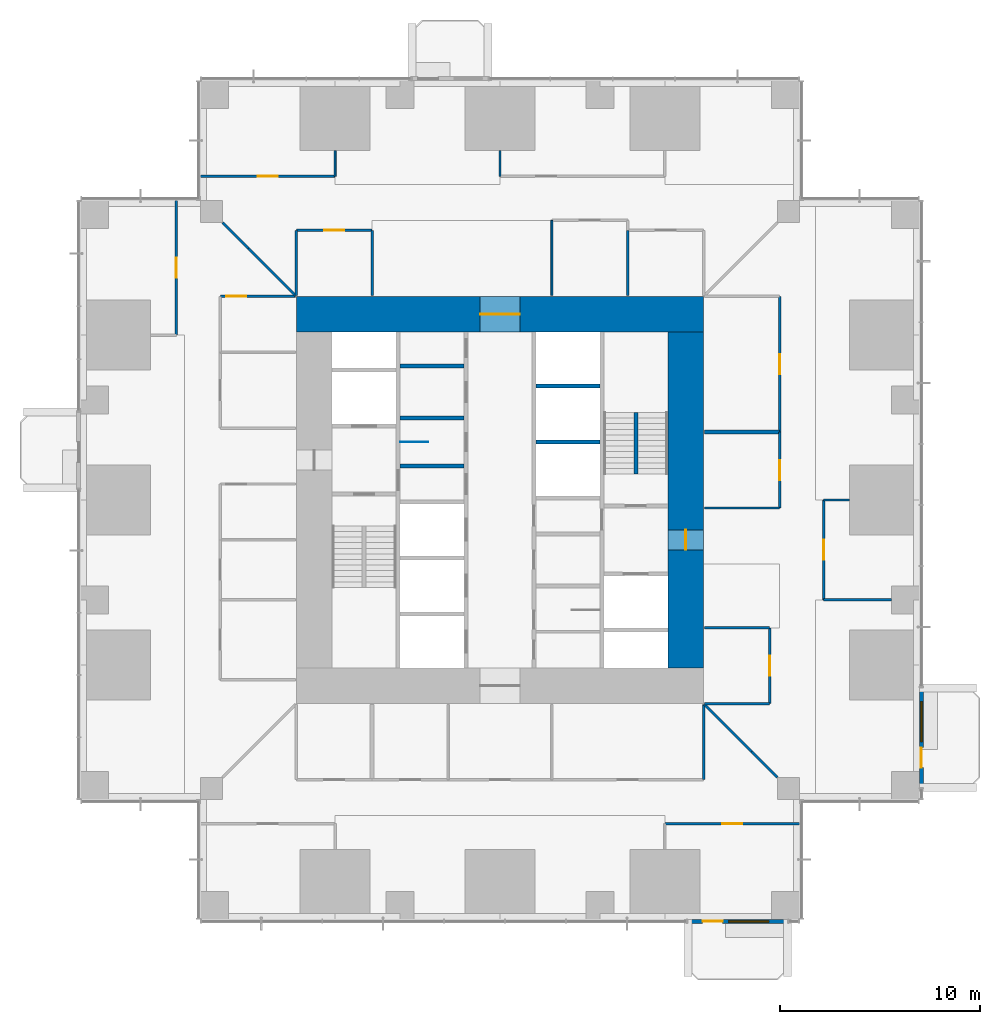
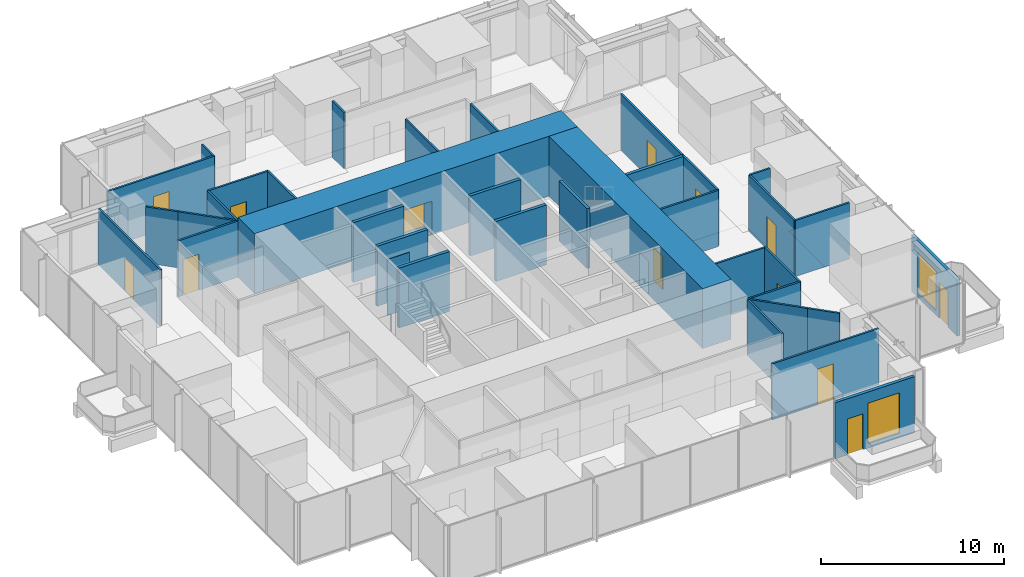
# One storey, part 11 of 15: 37 walls, 13 doors, 2 windows, 15 openings.
"""IFC4 building model written with IfcOpenShell, lengths in metres."""

from ifc_helpers import new_model, si_unit, direction, frame, frame_2d, origin, place, context, subcontext, project, spatial, rectangle, extrude, material, layer, layer_set, type_object, element, fill, save


model = new_model("IFC4")

# Units and contexts
model_context = context("Model", 3, precision=1e-05, world=origin(), true_north=direction((0.0, 1.0)))
body_context = subcontext(model_context, "Body", "Model", "MODEL_VIEW")
ifc_project = project(units=[si_unit("LENGTHUNIT", "METRE"), si_unit("AREAUNIT", "SQUARE_METRE"), si_unit("VOLUMEUNIT", "CUBIC_METRE"), si_unit("PLANEANGLEUNIT", "RADIAN"), si_unit("MASSUNIT", "GRAM", prefix="KILO")], contexts=[model_context])

# Site, building, storey
site_placement = place(None, origin())
site = spatial("IfcSite", under=ifc_project, at=site_placement, CompositionType="ELEMENT")
building_placement = place(site_placement, origin())
building = spatial("IfcBuilding", under=site, at=building_placement, Name="Svetlomir Tower", CompositionType="ELEMENT")
storey_placement = place(building_placement, frame((0.0, 0.0, 74.5)))
storey = spatial("IfcBuildingStorey", under=building, at=storey_placement, Name="L17", CompositionType="ELEMENT", Elevation=74.5)

# Wall
ifc_material_1 = material(Name="Gypsum board on twin steel studs", Category="steel")
ifc_layer_1 = layer(ifc_material_1, 0.199951171875)
ifc_layer_set_1 = layer_set([ifc_layer_1], Name="Gypsum board on twin steel studs")
wall_type_1 = type_object("IfcWallType", Name="ACOUSTIC PARTITION 200", PredefinedType="PARTITIONING", material=ifc_layer_set_1)
wall_1_placement = place(storey_placement, frame((31.25, 24.39990234375, 0.0), z_axis=(0.0, 0.0, 1.0), x_axis=(1.0, 0.0, 0.0)))
element("IfcWall", 1, at=wall_1_placement, inside=storey, type_object=wall_type_1, Name="Acoustic partition L17", PredefinedType="PARTITIONING", context=body_context, shape_type="SweptSolid", body=[
    extrude(rectangle(XDim=3.75, YDim=0.199951171875, at=frame_2d((1.875, 0.0))), origin(), (0.0, 0.0, 1.0), 3.75),
])

# Wall, openings, door, window
ifc_material_2 = material(Name="Bronze anodised aluminium glazed screen", Category="aluminium")
ifc_layer_2 = layer(ifc_material_2, 0.199951171875)
ifc_layer_set_2 = layer_set([ifc_layer_2], Name="Bronze anodised aluminium glazed screen")
wall_type_2 = type_object("IfcWallType", Name="BALCONY SCREEN WALL 200", PredefinedType="USERDEFINED", material=ifc_layer_set_2)
wall_2_placement = place(storey_placement, frame((30.39990234375, -0.10009765625, 0.0), z_axis=(0.0, 0.0, 1.0), x_axis=(1.0, 0.0, 0.0)))
wall_2 = element("IfcWall", 2, at=wall_2_placement, inside=storey, type_object=wall_type_2, Name="Balcony screen S", ObjectType="GLAZED SCREEN", PredefinedType="USERDEFINED", context=body_context, shape_type="SweptSolid", body=[
    extrude(rectangle(XDim=5.0, YDim=0.199951171875, at=frame_2d((2.5, 0.0))), origin(), (0.0, 0.0, 1.0), 3.75),
])
opening_1_placement = place(wall_2_placement, frame((0.75, 0.0, 0.0)))
opening_1 = element("IfcOpeningElement", 3, at=opening_1_placement, cuts=wall_2, Name="Opening BD", PredefinedType="OPENING", context=body_context, shape_type="SweptSolid", body=[
    extrude(rectangle(XDim=1.0, YDim=2.39990234375, at=frame_2d((0.5, 1.199951171875))), frame((0.0, 0.10986328125, 0.0), z_axis=(0.0, -1.0, 0.0), x_axis=(1.0, 0.0, 0.0)), (0.0, 0.0, 1.0), 0.219970703125),
])
opening_2_placement = place(wall_2_placement, frame((2.050048828125, 0.0, 0.300048828125)))
opening_2 = element("IfcOpeningElement", 4, at=opening_2_placement, cuts=wall_2, Name="Opening WS", PredefinedType="OPENING", context=body_context, shape_type="SweptSolid", body=[
    extrude(rectangle(XDim=2.0, YDim=2.699951171875, at=frame_2d((1.0, 1.35009765625))), frame((0.0, 0.10986328125, 0.0), z_axis=(0.0, -1.0, 0.0), x_axis=(1.0, 0.0, 0.0)), (0.0, 0.0, 1.0), 0.219970703125),
])
ifc_material_3 = material(Name="Bronze anodised aluminium glazed door", Category="aluminium")
door_type_1 = type_object("IfcDoorType", Name="BALCONY DOOR BD 1000x2400", OperationType="SINGLE_SWING_LEFT", PredefinedType="DOOR", material=ifc_material_3)
door_1_placement = place(opening_1_placement, origin())
door_1 = element("IfcDoor", 5, at=door_1_placement, inside=storey, type_object=door_type_1, Name="Balcony screen S door", OperationType="SINGLE_SWING_LEFT", OverallHeight=2.39990234375, OverallWidth=1.0, PredefinedType="DOOR", context=body_context, shape_type="SweptSolid", body=[
    extrude(rectangle(XDim=1.0, YDim=2.39990234375, at=frame_2d((0.5, 1.199951171875))), frame((0.0, 0.02490234375, 0.0), z_axis=(0.0, -1.0, 0.0), x_axis=(1.0, 0.0, 0.0)), (0.0, 0.0, 1.0), 0.050048828125),
])
fill(opening_1, door_1)
ifc_material_4 = material(Name="Bronze anodised aluminium window", Category="aluminium")
window_type = type_object("IfcWindowType", Name="SCREEN WINDOW WS 2000x2700", PartitioningType="SINGLE_PANEL", PredefinedType="WINDOW", material=ifc_material_4)
window_1_placement = place(opening_2_placement, origin())
window_1 = element("IfcWindow", 6, at=window_1_placement, inside=storey, type_object=window_type, Name="Balcony screen S window 1", OverallHeight=2.699951171875, OverallWidth=2.0, PartitioningType="SINGLE_PANEL", PredefinedType="WINDOW", context=body_context, shape_type="SweptSolid", body=[
    extrude(rectangle(XDim=2.0, YDim=2.699951171875, at=frame_2d((1.0, 1.35009765625))), frame((0.0, 0.030029296875, 0.0), z_axis=(0.0, -1.0, 0.0), x_axis=(1.0, 0.0, 0.0)), (0.0, 0.0, 1.0), 0.06005859375),
])
fill(opening_2, window_1)

wall_3_placement = place(storey_placement, frame((42.10009765625, 6.60009765625, 0.0), z_axis=(0.0, 0.0, 1.0), x_axis=(0.0, 1.0, 0.0)))
wall_3 = element("IfcWall", 7, at=wall_3_placement, inside=storey, type_object=wall_type_2, Name="Balcony screen E", ObjectType="GLAZED SCREEN", PredefinedType="USERDEFINED", context=body_context, shape_type="SweptSolid", body=[
    extrude(rectangle(XDim=5.0, YDim=0.199951171875, at=frame_2d((2.5, 0.0))), origin(), (0.0, 0.0, 1.0), 3.75),
])
opening_3_placement = place(wall_3_placement, frame((1.0, 0.0, 0.0)))
opening_3 = element("IfcOpeningElement", 8, at=opening_3_placement, cuts=wall_3, Name="Opening BD", PredefinedType="OPENING", context=body_context, shape_type="SweptSolid", body=[
    extrude(rectangle(XDim=1.0, YDim=2.39990234375, at=frame_2d((0.5, 1.199951171875))), frame((0.0, 0.10986328125, 0.0), z_axis=(0.0, -1.0, 0.0), x_axis=(1.0, 0.0, 0.0)), (0.0, 0.0, 1.0), 0.219970703125),
])
opening_4_placement = place(wall_3_placement, frame((2.300048828125, 0.0, 0.300048828125)))
opening_4 = element("IfcOpeningElement", 9, at=opening_4_placement, cuts=wall_3, Name="Opening WS", PredefinedType="OPENING", context=body_context, shape_type="SweptSolid", body=[
    extrude(rectangle(XDim=2.0, YDim=2.699951171875, at=frame_2d((1.0, 1.35009765625))), frame((0.0, 0.10986328125, 0.0), z_axis=(0.0, -1.0, 0.0), x_axis=(1.0, 0.0, 0.0)), (0.0, 0.0, 1.0), 0.219970703125),
])
door_2_placement = place(opening_3_placement, origin())
door_2 = element("IfcDoor", 10, at=door_2_placement, inside=storey, type_object=door_type_1, Name="Balcony screen E door", OperationType="SINGLE_SWING_LEFT", OverallHeight=2.39990234375, OverallWidth=1.0, PredefinedType="DOOR", context=body_context, shape_type="SweptSolid", body=[
    extrude(rectangle(XDim=1.0, YDim=2.39990234375, at=frame_2d((0.5, 1.199951171875))), frame((0.0, 0.02490234375, 0.0), z_axis=(0.0, -1.0, 0.0), x_axis=(1.0, 0.0, 0.0)), (0.0, 0.0, 1.0), 0.050048828125),
])
fill(opening_3, door_2)
window_2_placement = place(opening_4_placement, origin())
window_2 = element("IfcWindow", 11, at=window_2_placement, inside=storey, type_object=window_type, Name="Balcony screen E window 1", OverallHeight=2.699951171875, OverallWidth=2.0, PartitioningType="SINGLE_PANEL", PredefinedType="WINDOW", context=body_context, shape_type="SweptSolid", body=[
    extrude(rectangle(XDim=2.0, YDim=2.699951171875, at=frame_2d((1.0, 1.35009765625))), frame((0.0, 0.030029296875, 0.0), z_axis=(0.0, -1.0, 0.0), x_axis=(1.0, 0.0, 0.0)), (0.0, 0.0, 1.0), 0.06005859375),
])
fill(opening_4, window_2)

# Walls
ifc_material_5 = material(Name="Concrete C60/75", Category="concrete")
ifc_layer_3 = layer(ifc_material_5, 0.199951171875)
ifc_layer_set_3 = layer_set([ifc_layer_3], Name="Concrete C60/75")
wall_type_3 = type_object("IfcWallType", Name="CORE INNER WALL 200", PredefinedType="SHEAR", material=ifc_layer_set_3)
for number, where, z_axis, x_axis, name in (
    (12, (16.0, 22.699951171875, -0.050048828125), (0.0, 0.0, 1.0), (1.0, 0.0, 0.0), "Core inner wall 16-19.2/22.7 L17"),
    (13, (16.0, 25.10009765625, -0.050048828125), (0.0, 0.0, 1.0), (1.0, 0.0, 0.0), "Core inner wall 16-19.2/25.1 L17"),
    (14, (16.0, 27.699951171875, -0.050048828125), (0.0, 0.0, 1.0), (1.0, 0.0, 0.0), "Core inner wall 16-19.2/27.7 L17"),
    (15, (22.800048828125, 23.89990234375, -0.050048828125), (0.0, 0.0, 1.0), (1.0, 0.0, 0.0), "Core inner wall 22.8-26/23.9 L17"),
    (16, (22.800048828125, 26.699951171875, -0.050048828125), (0.0, 0.0, 1.0), (1.0, 0.0, 0.0), "Core inner wall 22.8-26/26.7 L17"),
):
    element("IfcWall", number, at=place(storey_placement, frame(where, z_axis=z_axis, x_axis=x_axis)), inside=storey, type_object=wall_type_3, Name=name, PredefinedType="SHEAR", context=body_context, shape_type="SweptSolid", body=[
        extrude(rectangle(XDim=3.199951171875, YDim=0.199951171875, at=frame_2d((1.60009765625, 0.0))), origin(), (0.0, 0.0, 1.0), 4.0),
    ])

# Wall, opening, door
ifc_material_6 = material(Name="Concrete C60/75", Category="concrete")
ifc_layer_4 = layer(ifc_material_6, 1.800048828125)
ifc_layer_set_4 = layer_set([ifc_layer_4], Name="Concrete C60/75")
wall_type_4 = type_object("IfcWallType", Name="CORE WALL 1800", PredefinedType="SHEAR", material=ifc_layer_set_4)
wall_4_placement = place(storey_placement, frame((10.800048828125, 30.300048828125, -0.050048828125), z_axis=(0.0, 0.0, 1.0), x_axis=(1.0, 0.0, 0.0)))
wall_4 = element("IfcWall", 17, at=wall_4_placement, inside=storey, type_object=wall_type_4, Name="Core wall north L17", PredefinedType="SHEAR", context=body_context, shape_type="SweptSolid", body=[
    extrude(rectangle(XDim=20.39990234375, YDim=1.800048828125, at=frame_2d((10.199951171875, 0.0))), origin(), (0.0, 0.0, 1.0), 4.0),
])
opening_5_placement = place(wall_4_placement, frame((9.199951171875, 0.0, 0.050048828125)))
opening_5 = element("IfcOpeningElement", 18, at=opening_5_placement, cuts=wall_4, Name="Opening DL", PredefinedType="OPENING", context=body_context, shape_type="SweptSolid", body=[
    extrude(rectangle(XDim=2.0, YDim=2.199951171875, at=frame_2d((1.0, 1.10009765625))), frame((0.0, 0.91015625, 0.0), z_axis=(0.0, -1.0, 0.0), x_axis=(1.0, 0.0, 0.0)), (0.0, 0.0, 1.0), 1.820068359375),
])
ifc_material_7 = material(Name="Steel fire door", Category="steel")
door_type_2 = type_object("IfcDoorType", Name="DOOR DL 2000x2200", OperationType="DOUBLE_DOOR_SINGLE_SWING", PredefinedType="DOOR", material=ifc_material_7)
door_3_placement = place(opening_5_placement, origin())
door_3 = element("IfcDoor", 19, at=door_3_placement, inside=storey, type_object=door_type_2, Name="Lift lobby north door L17", OperationType="DOUBLE_DOOR_SINGLE_SWING", OverallHeight=2.199951171875, OverallWidth=2.0, PredefinedType="DOOR", context=body_context, shape_type="SweptSolid", body=[
    extrude(rectangle(XDim=2.0, YDim=2.199951171875, at=frame_2d((1.0, 1.10009765625))), frame((0.0, 0.02490234375, 0.0), z_axis=(0.0, -1.0, 0.0), x_axis=(1.0, 0.0, 0.0)), (0.0, 0.0, 1.0), 0.050048828125),
])
fill(opening_5, door_3)

wall_5_placement = place(storey_placement, frame((30.300048828125, 12.60009765625, -0.050048828125), z_axis=(0.0, 0.0, 1.0), x_axis=(0.0, 1.0, 0.0)))
wall_5 = element("IfcWall", 20, at=wall_5_placement, inside=storey, type_object=wall_type_4, Name="Core wall east L17", PredefinedType="SHEAR", context=body_context, shape_type="SweptSolid", body=[
    extrude(rectangle(XDim=16.7998046875, YDim=1.800048828125, at=frame_2d((8.39990234375, 0.0))), origin(), (0.0, 0.0, 1.0), 4.0),
])
opening_6_placement = place(wall_5_placement, frame((5.89990234375, 0.0, 0.050048828125)))
opening_6 = element("IfcOpeningElement", 21, at=opening_6_placement, cuts=wall_5, Name="Opening DF", PredefinedType="OPENING", context=body_context, shape_type="SweptSolid", body=[
    extrude(rectangle(XDim=1.0, YDim=2.199951171875, at=frame_2d((0.5, 1.10009765625))), frame((0.0, 0.91015625, 0.0), z_axis=(0.0, -1.0, 0.0), x_axis=(1.0, 0.0, 0.0)), (0.0, 0.0, 1.0), 1.820068359375),
])
ifc_material_8 = material(Name="Steel fire door", Category="steel")
door_type_3 = type_object("IfcDoorType", Name="DOOR DF 1000x2200", OperationType="SINGLE_SWING_LEFT", PredefinedType="DOOR", material=ifc_material_8)
door_4_placement = place(opening_6_placement, origin())
door_4 = element("IfcDoor", 22, at=door_4_placement, inside=storey, type_object=door_type_3, Name="Firefighting lobby east door L17", OperationType="SINGLE_SWING_LEFT", OverallHeight=2.199951171875, OverallWidth=1.0, PredefinedType="DOOR", context=body_context, shape_type="SweptSolid", body=[
    extrude(rectangle(XDim=1.0, YDim=2.199951171875, at=frame_2d((0.5, 1.10009765625))), frame((0.0, 0.02490234375, 0.0), z_axis=(0.0, -1.0, 0.0), x_axis=(1.0, 0.0, 0.0)), (0.0, 0.0, 1.0), 0.050048828125),
])
fill(opening_6, door_4)

# Walls
ifc_material_9 = material(Name="Framed laminated glass partition", Category="glass")
ifc_layer_5 = layer(ifc_material_9, 0.10009765625)
ifc_layer_set_5 = layer_set([ifc_layer_5], Name="Framed laminated glass partition")
wall_type_5 = type_object("IfcWallType", Name="GLAZED PARTITION 100", PredefinedType="PARTITIONING", material=ifc_layer_set_5)
wall_6_placement = place(storey_placement, frame((12.75, 37.199951171875, 0.0), z_axis=(0.0, 0.0, 1.0), x_axis=(0.0, 1.0, 0.0)))
element("IfcWall", 23, at=wall_6_placement, inside=storey, type_object=wall_type_5, Name="Glazed partition L17", PredefinedType="PARTITIONING", context=body_context, shape_type="SweptSolid", body=[
    extrude(rectangle(XDim=1.2900390625, YDim=0.10009765625, at=frame_2d((0.64501953125, 0.0))), origin(), (0.0, 0.0, 1.0), 3.75),
])
wall_7_placement = place(storey_placement, frame((23.60009765625, 31.25, 0.0), z_axis=(0.0, 0.0, 1.0), x_axis=(0.0, 1.0, 0.0)))
element("IfcWall", 24, at=wall_7_placement, inside=storey, type_object=wall_type_5, Name="Glazed partition L17", PredefinedType="PARTITIONING", context=body_context, shape_type="SweptSolid", body=[
    extrude(rectangle(XDim=3.75, YDim=0.10009765625, at=frame_2d((1.875, 0.0))), origin(), (0.0, 0.0, 1.0), 3.75),
])

# Wall, opening, door
ifc_material_10 = material(Name="Gypsum board on steel studs", Category="steel")
ifc_layer_6 = layer(ifc_material_10, 0.1201171875)
ifc_layer_set_6 = layer_set([ifc_layer_6], Name="Gypsum board on steel studs")
wall_type_6 = type_object("IfcWallType", Name="PARTITION 120", PredefinedType="PARTITIONING", material=ifc_layer_set_6)
wall_8_placement = place(storey_placement, frame((4.800048828125, 29.25, 0.0), z_axis=(0.0, 0.0, 1.0), x_axis=(0.0, 1.0, 0.0)))
wall_8 = element("IfcWall", 25, at=wall_8_placement, inside=storey, type_object=wall_type_6, Name="Partition L17", PredefinedType="PARTITIONING", context=body_context, shape_type="SweptSolid", body=[
    extrude(rectangle(XDim=6.75, YDim=0.1201171875, at=frame_2d((3.375, 0.0))), origin(), (0.0, 0.0, 1.0), 3.75),
])
opening_7_placement = place(wall_8_placement, frame((2.875, 0.0, 0.0)))
opening_7 = element("IfcOpeningElement", 26, at=opening_7_placement, cuts=wall_8, Name="Opening DR", PredefinedType="OPENING", context=body_context, shape_type="SweptSolid", body=[
    extrude(rectangle(XDim=1.0, YDim=2.199951171875, at=frame_2d((0.5, 1.10009765625))), frame((0.0, 0.070068359375, 0.0), z_axis=(0.0, -1.0, 0.0), x_axis=(1.0, 0.0, 0.0)), (0.0, 0.0, 1.0), 0.14013671875),
])
ifc_material_11 = material(Name="Timber door, glazed side light", Category="wood")
door_type_4 = type_object("IfcDoorType", Name="DOOR DR 1000x2200", OperationType="SINGLE_SWING_LEFT", PredefinedType="DOOR", material=ifc_material_11)
door_5_placement = place(opening_7_placement, origin())
door_5 = element("IfcDoor", 27, at=door_5_placement, inside=storey, type_object=door_type_4, Name="Facilities manager office door L17", OperationType="SINGLE_SWING_LEFT", OverallHeight=2.199951171875, OverallWidth=1.0, PredefinedType="DOOR", context=body_context, shape_type="SweptSolid", body=[
    extrude(rectangle(XDim=1.0, YDim=2.199951171875, at=frame_2d((0.5, 1.10009765625))), frame((0.0, 0.02490234375, 0.0), z_axis=(0.0, -1.0, 0.0), x_axis=(1.0, 0.0, 0.0)), (0.0, 0.0, 1.0), 0.050048828125),
])
fill(opening_7, door_5)

wall_9_placement = place(storey_placement, frame((6.0, 37.199951171875, 0.0), z_axis=(0.0, 0.0, 1.0), x_axis=(1.0, 0.0, 0.0)))
wall_9 = element("IfcWall", 28, at=wall_9_placement, inside=storey, type_object=wall_type_6, Name="Partition L17", PredefinedType="PARTITIONING", context=body_context, shape_type="SweptSolid", body=[
    extrude(rectangle(XDim=6.75, YDim=0.1201171875, at=frame_2d((3.375, 0.0))), origin(), (0.0, 0.0, 1.0), 3.75),
])
opening_8_placement = place(wall_9_placement, frame((2.875, 0.0, 0.0)))
opening_8 = element("IfcOpeningElement", 29, at=opening_8_placement, cuts=wall_9, Name="Opening DG", PredefinedType="OPENING", context=body_context, shape_type="SweptSolid", body=[
    extrude(rectangle(XDim=1.0, YDim=2.39990234375, at=frame_2d((0.5, 1.199951171875))), frame((0.0, 0.070068359375, 0.0), z_axis=(0.0, -1.0, 0.0), x_axis=(1.0, 0.0, 0.0)), (0.0, 0.0, 1.0), 0.14013671875),
])
ifc_material_12 = material(Name="Framed laminated glass door", Category="glass")
door_type_5 = type_object("IfcDoorType", Name="GLAZED DOOR DG 1000x2400", OperationType="SINGLE_SWING_LEFT", PredefinedType="DOOR", material=ifc_material_12)
door_6_placement = place(opening_8_placement, origin())
door_6 = element("IfcDoor", 30, at=door_6_placement, inside=storey, type_object=door_type_5, Name="Plan review room, 10 seats door L17", OperationType="SINGLE_SWING_RIGHT", OverallHeight=2.39990234375, OverallWidth=1.0, PredefinedType="DOOR", context=body_context, shape_type="SweptSolid", body=[
    extrude(rectangle(XDim=1.0, YDim=2.39990234375, at=frame_2d((0.5, 1.199951171875))), frame((0.0, 0.02490234375, 0.0), z_axis=(0.0, -1.0, 0.0), x_axis=(1.0, 0.0, 0.0)), (0.0, 0.0, 1.0), 0.050048828125),
])
fill(opening_8, door_6)

wall_10_placement = place(storey_placement, frame((7.0, 31.199951171875, 0.0), z_axis=(0.0, 0.0, 1.0), x_axis=(1.0, 0.0, 0.0)))
wall_10 = element("IfcWall", 31, at=wall_10_placement, inside=storey, type_object=wall_type_6, Name="Partition L17", PredefinedType="PARTITIONING", context=body_context, shape_type="SweptSolid", body=[
    extrude(rectangle(XDim=3.75, YDim=0.1201171875, at=frame_2d((1.875, 0.0))), origin(), (0.0, 0.0, 1.0), 3.75),
])
opening_9_placement = place(wall_10_placement, frame((0.300048828125, 0.0, 0.0)))
opening_9 = element("IfcOpeningElement", 32, at=opening_9_placement, cuts=wall_10, Name="Opening DG", PredefinedType="OPENING", context=body_context, shape_type="SweptSolid", body=[
    extrude(rectangle(XDim=1.0, YDim=2.39990234375, at=frame_2d((0.5, 1.199951171875))), frame((0.0, 0.070068359375, 0.0), z_axis=(0.0, -1.0, 0.0), x_axis=(1.0, 0.0, 0.0)), (0.0, 0.0, 1.0), 0.14013671875),
])
door_7_placement = place(opening_9_placement, origin())
door_7 = element("IfcDoor", 33, at=door_7_placement, inside=storey, type_object=door_type_5, Name="Ring corridor 3 door 2 L17", OperationType="SINGLE_SWING_LEFT", OverallHeight=2.39990234375, OverallWidth=1.0, PredefinedType="DOOR", context=body_context, shape_type="SweptSolid", body=[
    extrude(rectangle(XDim=1.0, YDim=2.39990234375, at=frame_2d((0.5, 1.199951171875))), frame((0.0, 0.02490234375, 0.0), z_axis=(0.0, -1.0, 0.0), x_axis=(1.0, 0.0, 0.0)), (0.0, 0.0, 1.0), 0.050048828125),
])
fill(opening_9, door_7)

# Walls
wall_11_placement = place(storey_placement, frame((7.110107421875, 34.889892578125, 0.0), z_axis=(0.0, 0.0, 1.0), x_axis=(0.707106781187, -0.707106781187, 0.0)))
element("IfcWall", 34, at=wall_11_placement, inside=storey, type_object=wall_type_6, Name="Partition L17", PredefinedType="PARTITIONING", context=body_context, shape_type="SweptSolid", body=[
    extrude(rectangle(XDim=1.822021484375, YDim=0.1201171875, at=frame_2d((0.9111328125, 0.0))), origin(), (0.0, 0.0, 1.0), 3.75),
])
wall_12_placement = place(storey_placement, frame((8.3984375, 33.6015625, 0.0), z_axis=(0.0, 0.0, 1.0), x_axis=(0.707106781187, -0.707106781187, 0.0)))
element("IfcWall", 35, at=wall_12_placement, inside=storey, type_object=wall_type_6, Name="Partition L17", PredefinedType="PARTITIONING", context=body_context, shape_type="SweptSolid", body=[
    extrude(rectangle(XDim=3.346435546875, YDim=0.1201171875, at=frame_2d((1.67333984375, 0.0))), origin(), (0.0, 0.0, 1.0), 3.75),
])
wall_13_placement = place(storey_placement, frame((10.800048828125, 31.25, 0.0), z_axis=(0.0, 0.0, 1.0), x_axis=(0.0, 1.0, 0.0)))
element("IfcWall", 36, at=wall_13_placement, inside=storey, type_object=wall_type_6, Name="Partition L17", PredefinedType="PARTITIONING", context=body_context, shape_type="SweptSolid", body=[
    extrude(rectangle(XDim=3.25, YDim=0.1201171875, at=frame_2d((1.625, 0.0))), origin(), (0.0, 0.0, 1.0), 3.75),
])

# Wall, opening, door
wall_14_placement = place(storey_placement, frame((10.800048828125, 34.5, 0.0), z_axis=(0.0, 0.0, 1.0), x_axis=(1.0, 0.0, 0.0)))
wall_14 = element("IfcWall", 37, at=wall_14_placement, inside=storey, type_object=wall_type_6, Name="Partition L17", PredefinedType="PARTITIONING", context=body_context, shape_type="SweptSolid", body=[
    extrude(rectangle(XDim=3.800048828125, YDim=0.1201171875, at=frame_2d((1.89990234375, 0.0))), origin(), (0.0, 0.0, 1.0), 3.75),
])
opening_10_placement = place(wall_14_placement, frame((1.39990234375, 0.0, 0.0)))
opening_10 = element("IfcOpeningElement", 38, at=opening_10_placement, cuts=wall_14, Name="Opening DR", PredefinedType="OPENING", context=body_context, shape_type="SweptSolid", body=[
    extrude(rectangle(XDim=1.0, YDim=2.199951171875, at=frame_2d((0.5, 1.10009765625))), frame((0.0, 0.070068359375, 0.0), z_axis=(0.0, -1.0, 0.0), x_axis=(1.0, 0.0, 0.0)), (0.0, 0.0, 1.0), 0.14013671875),
])
door_8_placement = place(opening_10_placement, origin())
door_8 = element("IfcDoor", 39, at=door_8_placement, inside=storey, type_object=door_type_4, Name="Plan chest store door L17", OperationType="SINGLE_SWING_RIGHT", OverallHeight=2.199951171875, OverallWidth=1.0, PredefinedType="DOOR", context=body_context, shape_type="SweptSolid", body=[
    extrude(rectangle(XDim=1.0, YDim=2.199951171875, at=frame_2d((0.5, 1.10009765625))), frame((0.0, 0.02490234375, 0.0), z_axis=(0.0, -1.0, 0.0), x_axis=(1.0, 0.0, 0.0)), (0.0, 0.0, 1.0), 0.050048828125),
])
fill(opening_10, door_8)

# Walls
wall_15_placement = place(storey_placement, frame((14.60009765625, 31.25, 0.0), z_axis=(0.0, 0.0, 1.0), x_axis=(0.0, 1.0, 0.0)))
element("IfcWall", 40, at=wall_15_placement, inside=storey, type_object=wall_type_6, Name="Partition L17", PredefinedType="PARTITIONING", context=body_context, shape_type="SweptSolid", body=[
    extrude(rectangle(XDim=3.25, YDim=0.1201171875, at=frame_2d((1.625, 0.0))), origin(), (0.0, 0.0, 1.0), 3.75),
])
wall_16_placement = place(storey_placement, frame((21.0, 37.199951171875, 0.0), z_axis=(0.0, 0.0, 1.0), x_axis=(0.0, 1.0, 0.0)))
element("IfcWall", 41, at=wall_16_placement, inside=storey, type_object=wall_type_6, Name="Partition L17", PredefinedType="PARTITIONING", context=body_context, shape_type="SweptSolid", body=[
    extrude(rectangle(XDim=1.2900390625, YDim=0.1201171875, at=frame_2d((0.64501953125, 0.0))), origin(), (0.0, 0.0, 1.0), 3.75),
])
wall_17_placement = place(storey_placement, frame((27.39990234375, 31.25, 0.0), z_axis=(0.0, 0.0, 1.0), x_axis=(0.0, 1.0, 0.0)))
element("IfcWall", 42, at=wall_17_placement, inside=storey, type_object=wall_type_6, Name="Partition L17", PredefinedType="PARTITIONING", context=body_context, shape_type="SweptSolid", body=[
    extrude(rectangle(XDim=3.25, YDim=0.1201171875, at=frame_2d((1.625, 0.0))), origin(), (0.0, 0.0, 1.0), 3.75),
])

# Wall, opening, door
wall_18_placement = place(storey_placement, frame((29.25, 4.800048828125, 0.0), z_axis=(0.0, 0.0, 1.0), x_axis=(1.0, 0.0, 0.0)))
wall_18 = element("IfcWall", 43, at=wall_18_placement, inside=storey, type_object=wall_type_6, Name="Partition L17", PredefinedType="PARTITIONING", context=body_context, shape_type="SweptSolid", body=[
    extrude(rectangle(XDim=6.75, YDim=0.1201171875, at=frame_2d((3.375, 0.0))), origin(), (0.0, 0.0, 1.0), 3.75),
])
opening_11_placement = place(wall_18_placement, frame((2.875, 0.0, 0.0)))
opening_11 = element("IfcOpeningElement", 44, at=opening_11_placement, cuts=wall_18, Name="Opening DG", PredefinedType="OPENING", context=body_context, shape_type="SweptSolid", body=[
    extrude(rectangle(XDim=1.0, YDim=2.39990234375, at=frame_2d((0.5, 1.199951171875))), frame((0.0, 0.070068359375, 0.0), z_axis=(0.0, -1.0, 0.0), x_axis=(1.0, 0.0, 0.0)), (0.0, 0.0, 1.0), 0.14013671875),
])
door_9_placement = place(opening_11_placement, origin())
door_9 = element("IfcDoor", 45, at=door_9_placement, inside=storey, type_object=door_type_5, Name="Break-out and kitchenette door L17", OperationType="SINGLE_SWING_LEFT", OverallHeight=2.39990234375, OverallWidth=1.0, PredefinedType="DOOR", context=body_context, shape_type="SweptSolid", body=[
    extrude(rectangle(XDim=1.0, YDim=2.39990234375, at=frame_2d((0.5, 1.199951171875))), frame((0.0, 0.02490234375, 0.0), z_axis=(0.0, -1.0, 0.0), x_axis=(1.0, 0.0, 0.0)), (0.0, 0.0, 1.0), 0.050048828125),
])
fill(opening_11, door_9)

# Walls
wall_19_placement = place(storey_placement, frame((31.199951171875, 7.0, 0.0), z_axis=(0.0, 0.0, 1.0), x_axis=(0.0, 1.0, 0.0)))
element("IfcWall", 46, at=wall_19_placement, inside=storey, type_object=wall_type_6, Name="Partition L17", PredefinedType="PARTITIONING", context=body_context, shape_type="SweptSolid", body=[
    extrude(rectangle(XDim=3.75, YDim=0.1201171875, at=frame_2d((1.875, 0.0))), origin(), (0.0, 0.0, 1.0), 3.75),
])
wall_20_placement = place(storey_placement, frame((31.2353515625, 10.7646484375, 0.0), z_axis=(0.0, 0.0, 1.0), x_axis=(0.707106781187, -0.707106781187, 0.0)))
element("IfcWall", 47, at=wall_20_placement, inside=storey, type_object=wall_type_6, Name="Partition L17", PredefinedType="PARTITIONING", context=body_context, shape_type="SweptSolid", body=[
    extrude(rectangle(XDim=3.346435546875, YDim=0.1201171875, at=frame_2d((1.67333984375, 0.0))), origin(), (0.0, 0.0, 1.0), 3.75),
])
for number, where, z_axis, x_axis, name in (
    (48, (31.25, 10.800048828125, 0.0), (0.0, 0.0, 1.0), (1.0, 0.0, 0.0), "Partition L17"),
    (49, (31.25, 14.60009765625, 0.0), (0.0, 0.0, 1.0), (1.0, 0.0, 0.0), "Partition L17"),
):
    element("IfcWall", number, at=place(storey_placement, frame(where, z_axis=z_axis, x_axis=x_axis)), inside=storey, type_object=wall_type_6, Name=name, PredefinedType="PARTITIONING", context=body_context, shape_type="SweptSolid", body=[
        extrude(rectangle(XDim=3.25, YDim=0.1201171875, at=frame_2d((1.625, 0.0))), origin(), (0.0, 0.0, 1.0), 3.75),
    ])
wall_21_placement = place(storey_placement, frame((31.25, 20.60009765625, 0.0), z_axis=(0.0, 0.0, 1.0), x_axis=(1.0, 0.0, 0.0)))
element("IfcWall", 50, at=wall_21_placement, inside=storey, type_object=wall_type_6, Name="Partition L17", PredefinedType="PARTITIONING", context=body_context, shape_type="SweptSolid", body=[
    extrude(rectangle(XDim=3.75, YDim=0.1201171875, at=frame_2d((1.875, 0.0))), origin(), (0.0, 0.0, 1.0), 3.75),
])
wall_22_placement = place(storey_placement, frame((33.6015625, 8.3984375, 0.0), z_axis=(0.0, 0.0, 1.0), x_axis=(0.707106781187, -0.707106781187, 0.0)))
element("IfcWall", 51, at=wall_22_placement, inside=storey, type_object=wall_type_6, Name="Partition L17", PredefinedType="PARTITIONING", context=body_context, shape_type="SweptSolid", body=[
    extrude(rectangle(XDim=1.822021484375, YDim=0.1201171875, at=frame_2d((0.9111328125, 0.0))), origin(), (0.0, 0.0, 1.0), 3.75),
])

# Wall, opening, door
wall_23_placement = place(storey_placement, frame((34.5, 10.800048828125, 0.0), z_axis=(0.0, 0.0, 1.0), x_axis=(0.0, 1.0, 0.0)))
wall_23 = element("IfcWall", 52, at=wall_23_placement, inside=storey, type_object=wall_type_6, Name="Partition L17", PredefinedType="PARTITIONING", context=body_context, shape_type="SweptSolid", body=[
    extrude(rectangle(XDim=3.800048828125, YDim=0.1201171875, at=frame_2d((1.89990234375, 0.0))), origin(), (0.0, 0.0, 1.0), 3.75),
])
opening_12_placement = place(wall_23_placement, frame((1.39990234375, 0.0, 0.0)))
opening_12 = element("IfcOpeningElement", 53, at=opening_12_placement, cuts=wall_23, Name="Opening DR", PredefinedType="OPENING", context=body_context, shape_type="SweptSolid", body=[
    extrude(rectangle(XDim=1.0, YDim=2.199951171875, at=frame_2d((0.5, 1.10009765625))), frame((0.0, 0.070068359375, 0.0), z_axis=(0.0, -1.0, 0.0), x_axis=(1.0, 0.0, 0.0)), (0.0, 0.0, 1.0), 0.14013671875),
])
door_10_placement = place(opening_12_placement, origin())
door_10 = element("IfcDoor", 54, at=door_10_placement, inside=storey, type_object=door_type_4, Name="Contracts archive door L17", OperationType="SINGLE_SWING_RIGHT", OverallHeight=2.199951171875, OverallWidth=1.0, PredefinedType="DOOR", context=body_context, shape_type="SweptSolid", body=[
    extrude(rectangle(XDim=1.0, YDim=2.199951171875, at=frame_2d((0.5, 1.10009765625))), frame((0.0, 0.02490234375, 0.0), z_axis=(0.0, -1.0, 0.0), x_axis=(1.0, 0.0, 0.0)), (0.0, 0.0, 1.0), 0.050048828125),
])
fill(opening_12, door_10)

wall_24_placement = place(storey_placement, frame((35.0, 20.60009765625, 0.0), z_axis=(0.0, 0.0, 1.0), x_axis=(0.0, 1.0, 0.0)))
wall_24 = element("IfcWall", 55, at=wall_24_placement, inside=storey, type_object=wall_type_6, Name="Partition L17", PredefinedType="PARTITIONING", context=body_context, shape_type="SweptSolid", body=[
    extrude(rectangle(XDim=3.7998046875, YDim=0.1201171875, at=frame_2d((1.89990234375, 0.0))), origin(), (0.0, 0.0, 1.0), 3.75),
])
opening_13_placement = place(wall_24_placement, frame((1.39990234375, 0.0, 0.0)))
opening_13 = element("IfcOpeningElement", 56, at=opening_13_placement, cuts=wall_24, Name="Opening DG", PredefinedType="OPENING", context=body_context, shape_type="SweptSolid", body=[
    extrude(rectangle(XDim=1.0, YDim=2.39990234375, at=frame_2d((0.5, 1.199951171875))), frame((0.0, 0.070068359375, 0.0), z_axis=(0.0, -1.0, 0.0), x_axis=(1.0, 0.0, 0.0)), (0.0, 0.0, 1.0), 0.14013671875),
])
door_11_placement = place(opening_13_placement, origin())
door_11 = element("IfcDoor", 57, at=door_11_placement, inside=storey, type_object=door_type_5, Name="Supplier meeting room, 4 seats door L17", OperationType="SINGLE_SWING_LEFT", OverallHeight=2.39990234375, OverallWidth=1.0, PredefinedType="DOOR", context=body_context, shape_type="SweptSolid", body=[
    extrude(rectangle(XDim=1.0, YDim=2.39990234375, at=frame_2d((0.5, 1.199951171875))), frame((0.0, 0.02490234375, 0.0), z_axis=(0.0, -1.0, 0.0), x_axis=(1.0, 0.0, 0.0)), (0.0, 0.0, 1.0), 0.050048828125),
])
fill(opening_13, door_11)

wall_25_placement = place(storey_placement, frame((35.0, 24.39990234375, 0.0), z_axis=(0.0, 0.0, 1.0), x_axis=(0.0, 1.0, 0.0)))
wall_25 = element("IfcWall", 58, at=wall_25_placement, inside=storey, type_object=wall_type_6, Name="Partition L17", PredefinedType="PARTITIONING", context=body_context, shape_type="SweptSolid", body=[
    extrude(rectangle(XDim=6.800048828125, YDim=0.1201171875, at=frame_2d((3.39990234375, 0.0))), origin(), (0.0, 0.0, 1.0), 3.75),
])
opening_14_placement = place(wall_25_placement, frame((2.89990234375, 0.0, 0.0)))
opening_14 = element("IfcOpeningElement", 59, at=opening_14_placement, cuts=wall_25, Name="Opening DG", PredefinedType="OPENING", context=body_context, shape_type="SweptSolid", body=[
    extrude(rectangle(XDim=1.0, YDim=2.39990234375, at=frame_2d((0.5, 1.199951171875))), frame((0.0, 0.070068359375, 0.0), z_axis=(0.0, -1.0, 0.0), x_axis=(1.0, 0.0, 0.0)), (0.0, 0.0, 1.0), 0.14013671875),
])
door_12_placement = place(opening_14_placement, origin())
door_12 = element("IfcDoor", 60, at=door_12_placement, inside=storey, type_object=door_type_5, Name="Meeting room, 10 seats door L17", OperationType="SINGLE_SWING_RIGHT", OverallHeight=2.39990234375, OverallWidth=1.0, PredefinedType="DOOR", context=body_context, shape_type="SweptSolid", body=[
    extrude(rectangle(XDim=1.0, YDim=2.39990234375, at=frame_2d((0.5, 1.199951171875))), frame((0.0, 0.02490234375, 0.0), z_axis=(0.0, -1.0, 0.0), x_axis=(1.0, 0.0, 0.0)), (0.0, 0.0, 1.0), 0.050048828125),
])
fill(opening_14, door_12)

wall_26_placement = place(storey_placement, frame((37.199951171875, 16.0, 0.0), z_axis=(0.0, 0.0, 1.0), x_axis=(0.0, 1.0, 0.0)))
wall_26 = element("IfcWall", 61, at=wall_26_placement, inside=storey, type_object=wall_type_6, Name="Partition L17", PredefinedType="PARTITIONING", context=body_context, shape_type="SweptSolid", body=[
    extrude(rectangle(XDim=5.0, YDim=0.1201171875, at=frame_2d((2.5, 0.0))), origin(), (0.0, 0.0, 1.0), 3.75),
])
opening_15_placement = place(wall_26_placement, frame((2.0, 0.0, 0.0)))
opening_15 = element("IfcOpeningElement", 62, at=opening_15_placement, cuts=wall_26, Name="Opening DR", PredefinedType="OPENING", context=body_context, shape_type="SweptSolid", body=[
    extrude(rectangle(XDim=1.0, YDim=2.199951171875, at=frame_2d((0.5, 1.10009765625))), frame((0.0, 0.070068359375, 0.0), z_axis=(0.0, -1.0, 0.0), x_axis=(1.0, 0.0, 0.0)), (0.0, 0.0, 1.0), 0.14013671875),
])
door_13_placement = place(opening_15_placement, origin())
door_13 = element("IfcDoor", 63, at=door_13_placement, inside=storey, type_object=door_type_4, Name="Property manager's office door L17", OperationType="SINGLE_SWING_RIGHT", OverallHeight=2.199951171875, OverallWidth=1.0, PredefinedType="DOOR", context=body_context, shape_type="SweptSolid", body=[
    extrude(rectangle(XDim=1.0, YDim=2.199951171875, at=frame_2d((0.5, 1.10009765625))), frame((0.0, 0.02490234375, 0.0), z_axis=(0.0, -1.0, 0.0), x_axis=(1.0, 0.0, 0.0)), (0.0, 0.0, 1.0), 0.050048828125),
])
fill(opening_15, door_13)

# Walls
wall_27_placement = place(storey_placement, frame((37.199951171875, 16.0, 0.0), z_axis=(0.0, 0.0, 1.0), x_axis=(1.0, 0.0, 0.0)))
element("IfcWall", 64, at=wall_27_placement, inside=storey, type_object=wall_type_6, Name="Partition L17", PredefinedType="PARTITIONING", context=body_context, shape_type="SweptSolid", body=[
    extrude(rectangle(XDim=3.39013671875, YDim=0.1201171875, at=frame_2d((1.695068359375, 0.0))), origin(), (0.0, 0.0, 1.0), 3.75),
])
wall_28_placement = place(storey_placement, frame((37.199951171875, 21.0, 0.0), z_axis=(0.0, 0.0, 1.0), x_axis=(1.0, 0.0, 0.0)))
element("IfcWall", 65, at=wall_28_placement, inside=storey, type_object=wall_type_6, Name="Partition L17", PredefinedType="PARTITIONING", context=body_context, shape_type="SweptSolid", body=[
    extrude(rectangle(XDim=1.2900390625, YDim=0.1201171875, at=frame_2d((0.64501953125, 0.0))), origin(), (0.0, 0.0, 1.0), 3.75),
])
ifc_material_13 = material(Name="Concrete C60/75", Category="concrete")
ifc_layer_7 = layer(ifc_material_13, 0.199951171875)
ifc_layer_set_7 = layer_set([ifc_layer_7], Name="Concrete C60/75")
wall_type_7 = type_object("IfcWallType", Name="STAIR SPINE WALL 200", PredefinedType="PARTITIONING", material=ifc_layer_set_7)
wall_29_placement = place(storey_placement, frame((27.800048828125, 22.300048828125, 0.0), z_axis=(0.0, 0.0, 1.0), x_axis=(0.0, 1.0, 0.0)))
element("IfcWall", 66, at=wall_29_placement, inside=storey, type_object=wall_type_7, Name="Stair S2 spine wall L17", PredefinedType="PARTITIONING", context=body_context, shape_type="SweptSolid", body=[
    extrude(rectangle(XDim=3.079833984375, YDim=0.199951171875, at=frame_2d((1.5400390625, 0.0))), origin(), (0.0, 0.0, 1.0), 4.0),
])
ifc_material_14 = material(Name="Compact laminate panel", Category="plastic")
ifc_layer_8 = layer(ifc_material_14, 0.030029296875)
ifc_layer_set_8 = layer_set([ifc_layer_8], Name="Compact laminate panel")
wall_type_8 = type_object("IfcWallType", Name="WC CUBICLE PARTITION 30", PredefinedType="PARTITIONING", material=ifc_layer_set_8)
wall_30_placement = place(storey_placement, frame((16.0, 23.89990234375, 0.0), z_axis=(0.0, 0.0, 1.0), x_axis=(1.0, 0.0, 0.0)))
element("IfcWall", 67, at=wall_30_placement, inside=storey, type_object=wall_type_8, Name="WC cubicle partition L17", PredefinedType="PARTITIONING", context=body_context, shape_type="SweptSolid", body=[
    extrude(rectangle(XDim=1.39990234375, YDim=0.030029296875, at=frame_2d((0.699951171875, 0.0))), origin(), (0.0, 0.0, 1.0), 3.75),
])

save(model, "model.ifc")
